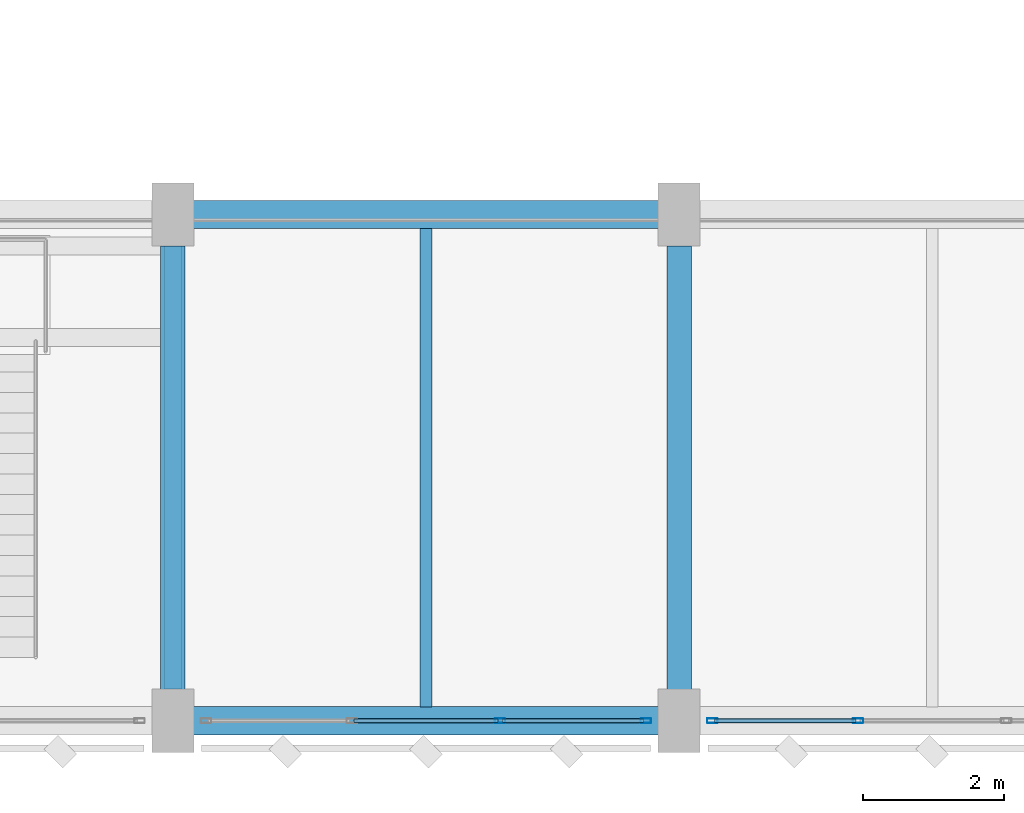
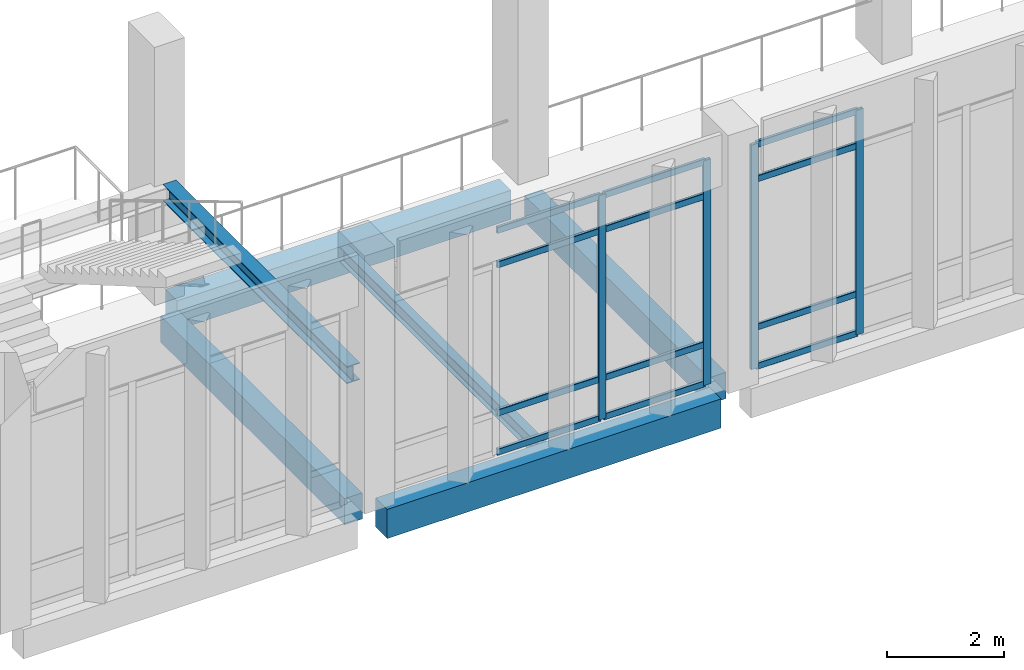
# One storey, part 97 of 180: 16 members, 6 beams, 2 elements without a shape of their own.
"""IFC4 building model written with IfcOpenShell, lengths in metres."""

from ifc_helpers import new_model, si_unit, direction, frame, origin, origin_2d, place, context, subcontext, project, spatial, rectangle, hollow_rectangle, i_section, extrude, material, material_profile, profile_set, type_object, element, aggregate, save


model = new_model("IFC4")

# Units and contexts
model_context = context("Model", 3, precision=1e-05, world=origin(), true_north=direction((0.0, 1.0)))
body_context = subcontext(model_context, "Body", "Model", "MODEL_VIEW")
ifc_project = project(units=[si_unit("LENGTHUNIT", "METRE"), si_unit("AREAUNIT", "SQUARE_METRE"), si_unit("VOLUMEUNIT", "CUBIC_METRE"), si_unit("PLANEANGLEUNIT", "RADIAN"), si_unit("MASSUNIT", "GRAM", prefix="KILO")], contexts=[model_context])

# Site, building, storey
site_placement = place(None, origin())
site = spatial("IfcSite", under=ifc_project, at=site_placement, CompositionType="ELEMENT")
building_placement = place(site_placement, origin())
building = spatial("IfcBuilding", under=site, at=building_placement, Name="Lusvemor Sports Hall", CompositionType="ELEMENT")
storey_placement = place(building_placement, frame((0.0, 0.0, 5.39990234375)))
storey = spatial("IfcBuildingStorey", under=building, at=storey_placement, Name="L01", CompositionType="ELEMENT", Elevation=5.39990234375)

# Beams
ifc_material_1 = material(Name="Concrete C40/50", Category="concrete")
ifc_material_profile_1 = material_profile(ifc_material_1, rectangle(XDim=0.35009765625, YDim=0.550048828125, at=origin_2d()), Name="RC350x550")
ifc_profile_set_1 = profile_set([ifc_material_profile_1], Name="Concrete C40/50")
beam_type_1 = type_object("IfcBeamType", Name="BEAM_RC_550", PredefinedType="BEAM", material=ifc_profile_set_1)
for number, where, z_axis, x_axis, name in (
    (1, (133.199951171875, 0.446044921875, -0.534912109375), (0.0, 1.0, 0.0), (-1.0, 0.0, 0.0), "Beam L01 15:A-B"),
    (2, (140.39990234375, 0.446044921875, -0.534912109375), (0.0, 1.0, 0.0), (-1.0, 0.0, 0.0), "Beam L01 16:A-B"),
):
    element("IfcBeam", number, at=place(storey_placement, frame(where, z_axis=z_axis, x_axis=x_axis)), inside=storey, type_object=beam_type_1, Name=name, PredefinedType="BEAM", context=body_context, shape_type="SweptSolid", body=[
        extrude(rectangle(XDim=0.35009765625, YDim=0.550048828125, at=origin_2d()), origin(), (0.0, 0.0, 1.0), 6.307861328125),
    ])
ifc_material_2 = material(Name="Steel S355", Category="steel")
ifc_material_profile_2 = material_profile(ifc_material_2, i_section(OverallWidth=0.256103515625, OverallDepth=0.360107421875, WebThickness=0.011474609375, FlangeThickness=0.02001953125, FilletRadius=0.014892578125, at=origin_2d()), Name="W360x110.0")
ifc_profile_set_2 = profile_set([ifc_material_profile_2], Name="Steel S355")
beam_type_2 = type_object("IfcBeamType", Name="BEAM_ST_360H", PredefinedType="BEAM", material=ifc_profile_set_2)
beam_1_placement = place(storey_placement, frame((133.199951171875, 0.449951171875, 2.300048828125), z_axis=(0.0, 1.0, 0.0), x_axis=(-1.0, 0.0, 0.0)))
element("IfcBeam", 3, at=beam_1_placement, inside=storey, type_object=beam_type_2, Name="STR-V2-CONC East Column Tie Beam", PredefinedType="BEAM", context=body_context, shape_type="SweptSolid", body=[
    extrude(i_section(OverallWidth=0.256103515625, OverallDepth=0.360107421875, WebThickness=0.011474609375, FlangeThickness=0.02001953125, FilletRadius=0.014892578125, at=origin_2d()), origin(), (0.0, 0.0, 1.0), 6.300048828125),
])

# Curtain wall, members
ifc_material_3 = material(Name="Thermally broken bronze-anodized aluminium", Category="aluminium")
curtain_wall_type = type_object("IfcCurtainWallType", Name="CW_COURT_C", PredefinedType="NOTDEFINED", material=ifc_material_3)
curtain_wall_1_placement = place(storey_placement, origin())
curtain_wall_1 = element("IfcCurtainWall", 4, at=curtain_wall_1_placement, inside=storey, type_object=curtain_wall_type, Name="Curtain Wall CW-V2S-L01-2", PredefinedType="NOTDEFINED")
ifc_material_4 = material(Name="Thermally broken bronze-anodized aluminium", Category="aluminium")
ifc_material_profile_3 = material_profile(ifc_material_4, hollow_rectangle(XDim=0.06494140625, YDim=0.14990234375, WallThickness=0.00390625, InnerFilletRadius=0.00390625, OuterFilletRadius=0.008056640625, at=origin_2d()), Name="CWMUL150x65x4")
ifc_profile_set_3 = profile_set([ifc_material_profile_3], Name="Thermally broken bronze-anodized aluminium")
member_type_1 = type_object("IfcMemberType", Name="CW_MUL_B", PredefinedType="MULLION", material=ifc_profile_set_3)
member_1_placement = place(storey_placement, frame((139.927490234375, 0.0, 0.0), z_axis=(0.0, 0.0, 1.0), x_axis=(0.0, -1.0, 0.0)))
member_1 = element("IfcMember", 5, at=member_1_placement, type_object=member_type_1, Name="CW03 mullion 1", PredefinedType="MULLION", context=body_context, shape_type="SweptSolid", body=[
    extrude(hollow_rectangle(XDim=0.06494140625, YDim=0.14990234375, WallThickness=0.00390625, InnerFilletRadius=0.00390625, OuterFilletRadius=0.008056640625, at=origin_2d()), origin(), (0.0, 0.0, 1.0), 4.7001953125),
])
member_2_placement = place(storey_placement, frame((137.853271484375, 0.0, 0.0), z_axis=(0.0, 0.0, 1.0), x_axis=(0.0, -1.0, 0.0)))
member_2 = element("IfcMember", 6, at=member_2_placement, type_object=member_type_1, Name="CW03 mullion 2", PredefinedType="MULLION", context=body_context, shape_type="SweptSolid", body=[
    extrude(hollow_rectangle(XDim=0.06494140625, YDim=0.14990234375, WallThickness=0.00390625, InnerFilletRadius=0.00390625, OuterFilletRadius=0.008056640625, at=origin_2d()), origin(), (0.0, 0.0, 1.0), 4.7001953125),
])

curtain_wall_2_placement = place(storey_placement, origin())
curtain_wall_2 = element("IfcCurtainWall", 7, at=curtain_wall_2_placement, inside=storey, type_object=curtain_wall_type, Name="Curtain Wall CW-V2S-L01-3", PredefinedType="NOTDEFINED")
member_3_placement = place(storey_placement, frame((142.94677734375, 0.0, 0.0), z_axis=(0.0, 0.0, 1.0), x_axis=(0.0, -1.0, 0.0)))
member_3 = element("IfcMember", 8, at=member_3_placement, type_object=member_type_1, Name="CW03 mullion 3", PredefinedType="MULLION", context=body_context, shape_type="SweptSolid", body=[
    extrude(hollow_rectangle(XDim=0.06494140625, YDim=0.14990234375, WallThickness=0.00390625, InnerFilletRadius=0.00390625, OuterFilletRadius=0.008056640625, at=origin_2d()), origin(), (0.0, 0.0, 1.0), 4.7001953125),
])
member_4_placement = place(storey_placement, frame((140.87255859375, 0.0, 0.0), z_axis=(0.0, 0.0, 1.0), x_axis=(0.0, -1.0, 0.0)))
member_4 = element("IfcMember", 9, at=member_4_placement, type_object=member_type_1, Name="CW03 mullion 4", PredefinedType="MULLION", context=body_context, shape_type="SweptSolid", body=[
    extrude(hollow_rectangle(XDim=0.06494140625, YDim=0.14990234375, WallThickness=0.00390625, InnerFilletRadius=0.00390625, OuterFilletRadius=0.008056640625, at=origin_2d()), origin(), (0.0, 0.0, 1.0), 4.7001953125),
])

# Member
ifc_material_5 = material(Name="Thermally broken bronze-anodized aluminium", Category="aluminium")
ifc_material_profile_4 = material_profile(ifc_material_5, hollow_rectangle(XDim=0.06005859375, YDim=0.135009765625, WallThickness=0.00390625, InnerFilletRadius=0.00390625, OuterFilletRadius=0.008056640625, at=origin_2d()), Name="CWTRN135x60x4")
ifc_profile_set_4 = profile_set([ifc_material_profile_4], Name="Thermally broken bronze-anodized aluminium")
member_type_2 = type_object("IfcMemberType", Name="CW_TRN_B", PredefinedType="USERDEFINED", material=ifc_profile_set_4)
member_5_placement = place(storey_placement, frame((139.89501953125, 0.0, 0.030029296875), z_axis=(-1.0, 0.0, 0.0), x_axis=(0.0, -1.0, 0.0)))
member_5 = element("IfcMember", 10, at=member_5_placement, type_object=member_type_2, Name="CW03 transom 1.1", ObjectType="TRANSOM", PredefinedType="USERDEFINED", context=body_context, shape_type="SweptSolid", body=[
    extrude(hollow_rectangle(XDim=0.06005859375, YDim=0.135009765625, WallThickness=0.00390625, InnerFilletRadius=0.00390625, OuterFilletRadius=0.008056640625, at=origin_2d()), origin(), (0.0, 0.0, 1.0), 2.00927734375),
])

member_6_placement = place(storey_placement, frame((139.89501953125, 0.0, 0.85009765625), z_axis=(-1.0, 0.0, 0.0), x_axis=(0.0, -1.0, 0.0)))
member_6 = element("IfcMember", 11, at=member_6_placement, type_object=member_type_2, Name="CW03 transom 1.2", ObjectType="TRANSOM", PredefinedType="USERDEFINED", context=body_context, shape_type="SweptSolid", body=[
    extrude(hollow_rectangle(XDim=0.06005859375, YDim=0.135009765625, WallThickness=0.00390625, InnerFilletRadius=0.00390625, OuterFilletRadius=0.008056640625, at=origin_2d()), origin(), (0.0, 0.0, 1.0), 2.00927734375),
])

member_7_placement = place(storey_placement, frame((139.89501953125, 0.0, 3.9501953125), z_axis=(-1.0, 0.0, 0.0), x_axis=(0.0, -1.0, 0.0)))
member_7 = element("IfcMember", 12, at=member_7_placement, type_object=member_type_2, Name="CW03 transom 1.3", ObjectType="TRANSOM", PredefinedType="USERDEFINED", context=body_context, shape_type="SweptSolid", body=[
    extrude(hollow_rectangle(XDim=0.06005859375, YDim=0.135009765625, WallThickness=0.00390625, InnerFilletRadius=0.00390625, OuterFilletRadius=0.008056640625, at=origin_2d()), origin(), (0.0, 0.0, 1.0), 2.00927734375),
])

member_8_placement = place(storey_placement, frame((139.89501953125, 0.0, 4.670166015625), z_axis=(-1.0, 0.0, 0.0), x_axis=(0.0, -1.0, 0.0)))
member_8 = element("IfcMember", 13, at=member_8_placement, type_object=member_type_2, Name="CW03 transom 1.4", ObjectType="TRANSOM", PredefinedType="USERDEFINED", context=body_context, shape_type="SweptSolid", body=[
    extrude(hollow_rectangle(XDim=0.06005859375, YDim=0.135009765625, WallThickness=0.00390625, InnerFilletRadius=0.00390625, OuterFilletRadius=0.008056640625, at=origin_2d()), origin(), (0.0, 0.0, 1.0), 2.00927734375),
])

member_9_placement = place(storey_placement, frame((137.82080078125, 0.0, 0.030029296875), z_axis=(-1.0, 0.0, 0.0), x_axis=(0.0, -1.0, 0.0)))
member_9 = element("IfcMember", 14, at=member_9_placement, type_object=member_type_2, Name="CW03 transom 2.1", ObjectType="TRANSOM", PredefinedType="USERDEFINED", context=body_context, shape_type="SweptSolid", body=[
    extrude(hollow_rectangle(XDim=0.06005859375, YDim=0.135009765625, WallThickness=0.00390625, InnerFilletRadius=0.00390625, OuterFilletRadius=0.008056640625, at=origin_2d()), origin(), (0.0, 0.0, 1.0), 2.041748046875),
])

member_10_placement = place(storey_placement, frame((137.82080078125, 0.0, 0.85009765625), z_axis=(-1.0, 0.0, 0.0), x_axis=(0.0, -1.0, 0.0)))
member_10 = element("IfcMember", 15, at=member_10_placement, type_object=member_type_2, Name="CW03 transom 2.2", ObjectType="TRANSOM", PredefinedType="USERDEFINED", context=body_context, shape_type="SweptSolid", body=[
    extrude(hollow_rectangle(XDim=0.06005859375, YDim=0.135009765625, WallThickness=0.00390625, InnerFilletRadius=0.00390625, OuterFilletRadius=0.008056640625, at=origin_2d()), origin(), (0.0, 0.0, 1.0), 2.041748046875),
])

member_11_placement = place(storey_placement, frame((137.82080078125, 0.0, 3.9501953125), z_axis=(-1.0, 0.0, 0.0), x_axis=(0.0, -1.0, 0.0)))
member_11 = element("IfcMember", 16, at=member_11_placement, type_object=member_type_2, Name="CW03 transom 2.3", ObjectType="TRANSOM", PredefinedType="USERDEFINED", context=body_context, shape_type="SweptSolid", body=[
    extrude(hollow_rectangle(XDim=0.06005859375, YDim=0.135009765625, WallThickness=0.00390625, InnerFilletRadius=0.00390625, OuterFilletRadius=0.008056640625, at=origin_2d()), origin(), (0.0, 0.0, 1.0), 2.041748046875),
])

member_12_placement = place(storey_placement, frame((137.82080078125, 0.0, 4.670166015625), z_axis=(-1.0, 0.0, 0.0), x_axis=(0.0, -1.0, 0.0)))
member_12 = element("IfcMember", 17, at=member_12_placement, type_object=member_type_2, Name="CW03 transom 2.4", ObjectType="TRANSOM", PredefinedType="USERDEFINED", context=body_context, shape_type="SweptSolid", body=[
    extrude(hollow_rectangle(XDim=0.06005859375, YDim=0.135009765625, WallThickness=0.00390625, InnerFilletRadius=0.00390625, OuterFilletRadius=0.008056640625, at=origin_2d()), origin(), (0.0, 0.0, 1.0), 2.041748046875),
])

aggregate(curtain_wall_1, [member_1, member_2, member_5, member_6, member_7, member_8, member_9, member_10, member_11, member_12])

member_13_placement = place(storey_placement, frame((142.9140625, 0.0, 0.030029296875), z_axis=(-1.0, 0.0, 0.0), x_axis=(0.0, -1.0, 0.0)))
member_13 = element("IfcMember", 18, at=member_13_placement, type_object=member_type_2, Name="CW03 transom 3.1", ObjectType="TRANSOM", PredefinedType="USERDEFINED", context=body_context, shape_type="SweptSolid", body=[
    extrude(hollow_rectangle(XDim=0.06005859375, YDim=0.135009765625, WallThickness=0.00390625, InnerFilletRadius=0.00390625, OuterFilletRadius=0.008056640625, at=origin_2d()), origin(), (0.0, 0.0, 1.0), 2.009033203125),
])

member_14_placement = place(storey_placement, frame((142.9140625, 0.0, 0.85009765625), z_axis=(-1.0, 0.0, 0.0), x_axis=(0.0, -1.0, 0.0)))
member_14 = element("IfcMember", 19, at=member_14_placement, type_object=member_type_2, Name="CW03 transom 3.2", ObjectType="TRANSOM", PredefinedType="USERDEFINED", context=body_context, shape_type="SweptSolid", body=[
    extrude(hollow_rectangle(XDim=0.06005859375, YDim=0.135009765625, WallThickness=0.00390625, InnerFilletRadius=0.00390625, OuterFilletRadius=0.008056640625, at=origin_2d()), origin(), (0.0, 0.0, 1.0), 2.009033203125),
])

member_15_placement = place(storey_placement, frame((142.9140625, 0.0, 3.9501953125), z_axis=(-1.0, 0.0, 0.0), x_axis=(0.0, -1.0, 0.0)))
member_15 = element("IfcMember", 20, at=member_15_placement, type_object=member_type_2, Name="CW03 transom 3.3", ObjectType="TRANSOM", PredefinedType="USERDEFINED", context=body_context, shape_type="SweptSolid", body=[
    extrude(hollow_rectangle(XDim=0.06005859375, YDim=0.135009765625, WallThickness=0.00390625, InnerFilletRadius=0.00390625, OuterFilletRadius=0.008056640625, at=origin_2d()), origin(), (0.0, 0.0, 1.0), 2.009033203125),
])

member_16_placement = place(storey_placement, frame((142.9140625, 0.0, 4.670166015625), z_axis=(-1.0, 0.0, 0.0), x_axis=(0.0, -1.0, 0.0)))
member_16 = element("IfcMember", 21, at=member_16_placement, type_object=member_type_2, Name="CW03 transom 3.4", ObjectType="TRANSOM", PredefinedType="USERDEFINED", context=body_context, shape_type="SweptSolid", body=[
    extrude(hollow_rectangle(XDim=0.06005859375, YDim=0.135009765625, WallThickness=0.00390625, InnerFilletRadius=0.00390625, OuterFilletRadius=0.008056640625, at=origin_2d()), origin(), (0.0, 0.0, 1.0), 2.009033203125),
])

aggregate(curtain_wall_2, [member_3, member_4, member_13, member_14, member_15, member_16])

# Beams
ifc_material_6 = material(Name="Steel S355", Category="steel")
ifc_material_profile_5 = material_profile(ifc_material_6, i_section(OverallWidth=0.1669921875, OverallDepth=0.31689453125, WebThickness=0.007568359375, FlangeThickness=0.01318359375, FilletRadius=0.014892578125, at=origin_2d()), Name="W310x52.0")
ifc_profile_set_5 = profile_set([ifc_material_profile_5], Name="Steel S355")
beam_type_3 = type_object("IfcBeamType", Name="JOIST_ST_310M", PredefinedType="JOIST", material=ifc_profile_set_5)
beam_2_placement = place(storey_placement, frame((136.800048828125, 0.196044921875, -0.42236328125), z_axis=(0.0, 1.0, 0.0), x_axis=(-1.0, 0.0, 0.0)))
element("IfcBeam", 22, at=beam_2_placement, inside=storey, type_object=beam_type_3, Name="Secondary Joist L01 15-16/A-B #1", PredefinedType="JOIST", context=body_context, shape_type="SweptSolid", body=[
    extrude(i_section(OverallWidth=0.1669921875, OverallDepth=0.31689453125, WebThickness=0.007568359375, FlangeThickness=0.01318359375, FilletRadius=0.014892578125, at=origin_2d()), origin(), (0.0, 0.0, 1.0), 6.807861328125),
])
ifc_material_7 = material(Name="Concrete C40/50", Category="concrete")
ifc_material_profile_6 = material_profile(ifc_material_7, rectangle(XDim=0.39990234375, YDim=0.610107421875, at=origin_2d()), Name="RC400x610")
ifc_profile_set_6 = profile_set([ifc_material_profile_6], Name="Concrete C40/50")
beam_type_4 = type_object("IfcBeamType", Name="SPAND_EXT_650", PredefinedType="SPANDREL", material=ifc_profile_set_6)
for number, where, z_axis, x_axis, name in (
    (23, (133.49609375, 0.0, -0.56494140625), (1.0, 0.0, 0.0), (0.0, 1.0, 0.0), "Beam L01 A:15-16"),
    (24, (133.49609375, 7.199951171875, -0.56494140625), (1.0, 0.0, 0.0), (0.0, 1.0, 0.0), "Beam L01 B:15-16"),
):
    element("IfcBeam", number, at=place(storey_placement, frame(where, z_axis=z_axis, x_axis=x_axis)), inside=storey, type_object=beam_type_4, Name=name, PredefinedType="SPANDREL", context=body_context, shape_type="SweptSolid", body=[
        extrude(rectangle(XDim=0.39990234375, YDim=0.610107421875, at=origin_2d()), origin(), (0.0, 0.0, 1.0), 6.60791015625),
    ])

save(model, "model.ifc")
